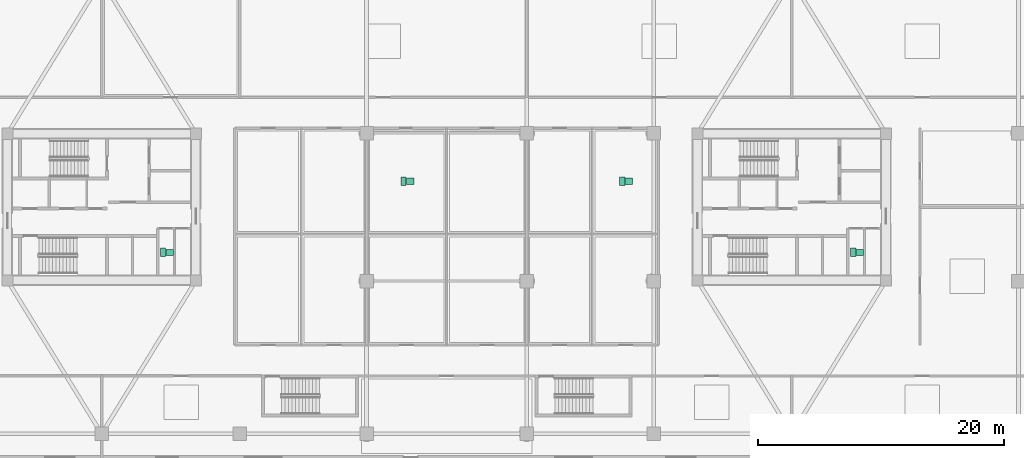
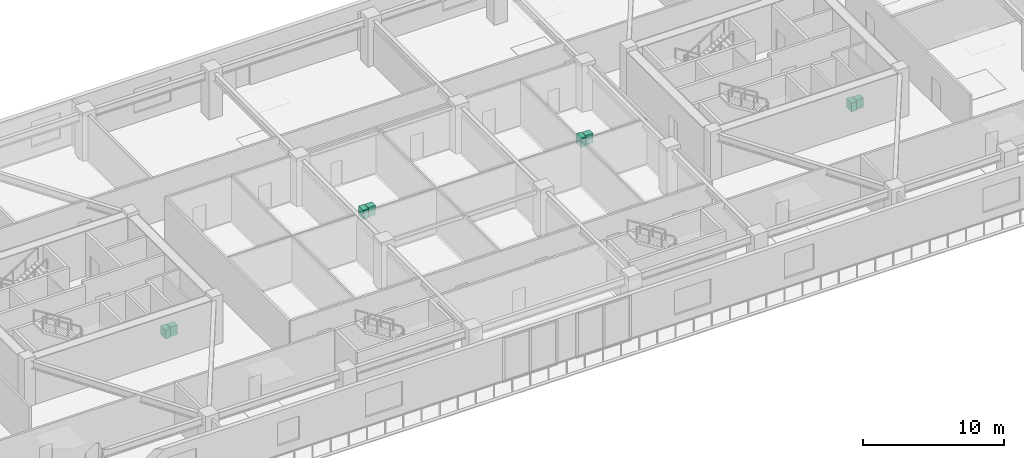
# One storey, part 21 of 22: 8 sanitary terminals.
"""IFC4 building model written with IfcOpenShell, lengths in metres."""

from ifc_helpers import new_model, si_unit, direction, frame, origin, origin_2d, place, context, subcontext, project, spatial, rectangle, extrude, source, transform, mapped, material, type_object, type_shapes, element, save


model = new_model("IFC4")

# Units and contexts
model_context = context("Model", 3, precision=1e-05, world=origin(), true_north=direction((0.0, 1.0)))
body_context = subcontext(model_context, "Body", "Model", "MODEL_VIEW")
ifc_project = project(units=[si_unit("LENGTHUNIT", "METRE"), si_unit("AREAUNIT", "SQUARE_METRE"), si_unit("VOLUMEUNIT", "CUBIC_METRE"), si_unit("PLANEANGLEUNIT", "RADIAN"), si_unit("MASSUNIT", "GRAM", prefix="KILO")], contexts=[model_context])

# Site, building, storey
site_placement = place(None, origin())
site = spatial("IfcSite", under=ifc_project, at=site_placement, CompositionType="ELEMENT")
building_placement = place(site_placement, origin())
building = spatial("IfcBuilding", under=site, at=building_placement, Name="Norrkilde Senior Care Towers", CompositionType="ELEMENT")
storey_placement = place(building_placement, frame((0.0, 0.0, 12.60009765625)))
storey = spatial("IfcBuildingStorey", under=building, at=storey_placement, Name="L03", CompositionType="ELEMENT", Elevation=12.60009765625)

# Sanitary terminals
ifc_material = material(Name="Porcelain Ceramic")
sanitary_terminal_type_1 = type_object("IfcSanitaryTerminalType", Name="Accessible Senior WC Suite", PredefinedType="TOILETPAN", material=ifc_material)
shared_shape_1 = source(origin(), body_context, "Body", "SweptSolid", [
    extrude(rectangle(XDim=0.419921875, YDim=0.679931640625, at=origin_2d()), origin(), (0.0, 0.0, 1.0), 0.780029296875),
])
type_shapes(sanitary_terminal_type_1, [shared_shape_1])
for number, where, z_axis, x_axis, name in (
    (1, (-23.010009765625, -3.675048828125, 0.0), (0.0, 0.0, 1.0), (1.0, 0.0, 0.0), "L03 Accessible WC Pan 0009"),
    (2, (32.989990234375, -3.675048828125, 0.0), (0.0, 0.0, 1.0), (1.0, 0.0, 0.0), "L03 Accessible WC Pan 0010"),
    (3, (-3.5, 2.10009765625, 0.0), (0.0, 0.0, 1.0), (1.0, 0.0, 0.0), "L03 Accessible WC Pan 0011"),
    (4, (14.25, 2.10009765625, 0.0), (0.0, 0.0, 1.0), (1.0, 0.0, 0.0), "L03 Accessible WC Pan 0012"),
):
    element("IfcSanitaryTerminal", number, at=place(storey_placement, frame(where, z_axis=z_axis, x_axis=x_axis)), inside=storey, type_object=sanitary_terminal_type_1, Name=name, PredefinedType="TOILETPAN", context=body_context, shape_type="MappedRepresentation", body=[
        mapped(shared_shape_1, transform((0.0, 0.0, 0.0), x_axis=(1.0, 0.0, 0.0), y_axis=(0.0, 1.0, 0.0), z_axis=(0.0, 0.0, 1.0), scale=1.0)),
    ])
sanitary_terminal_type_2 = type_object("IfcSanitaryTerminalType", Name="Thermostatic Care Washbasin", PredefinedType="WASHHANDBASIN", material=ifc_material)
shared_shape_2 = source(origin(), body_context, "Body", "SweptSolid", [
    extrude(rectangle(XDim=0.60009765625, YDim=0.5, at=origin_2d()), origin(), (0.0, 0.0, 1.0), 0.820068359375),
])
type_shapes(sanitary_terminal_type_2, [shared_shape_2])
for number, where, z_axis, x_axis, name in (
    (5, (-22.47998046875, -3.675048828125, 0.0), (0.0, 0.0, 1.0), (1.0, 0.0, 0.0), "L03 Accessible Washbasin 0009"),
    (6, (33.52001953125, -3.675048828125, 0.0), (0.0, 0.0, 1.0), (1.0, 0.0, 0.0), "L03 Accessible Washbasin 0010"),
    (7, (-2.969970703125, 2.10009765625, 0.0), (0.0, 0.0, 1.0), (1.0, 0.0, 0.0), "L03 Accessible Washbasin 0011"),
    (8, (14.780029296875, 2.10009765625, 0.0), (0.0, 0.0, 1.0), (1.0, 0.0, 0.0), "L03 Accessible Washbasin 0012"),
):
    element("IfcSanitaryTerminal", number, at=place(storey_placement, frame(where, z_axis=z_axis, x_axis=x_axis)), inside=storey, type_object=sanitary_terminal_type_2, Name=name, PredefinedType="WASHHANDBASIN", context=body_context, shape_type="MappedRepresentation", body=[
        mapped(shared_shape_2, transform((0.0, 0.0, 0.0), x_axis=(1.0, 0.0, 0.0), y_axis=(0.0, 1.0, 0.0), z_axis=(0.0, 0.0, 1.0), scale=1.0)),
    ])

save(model, "model.ifc")
